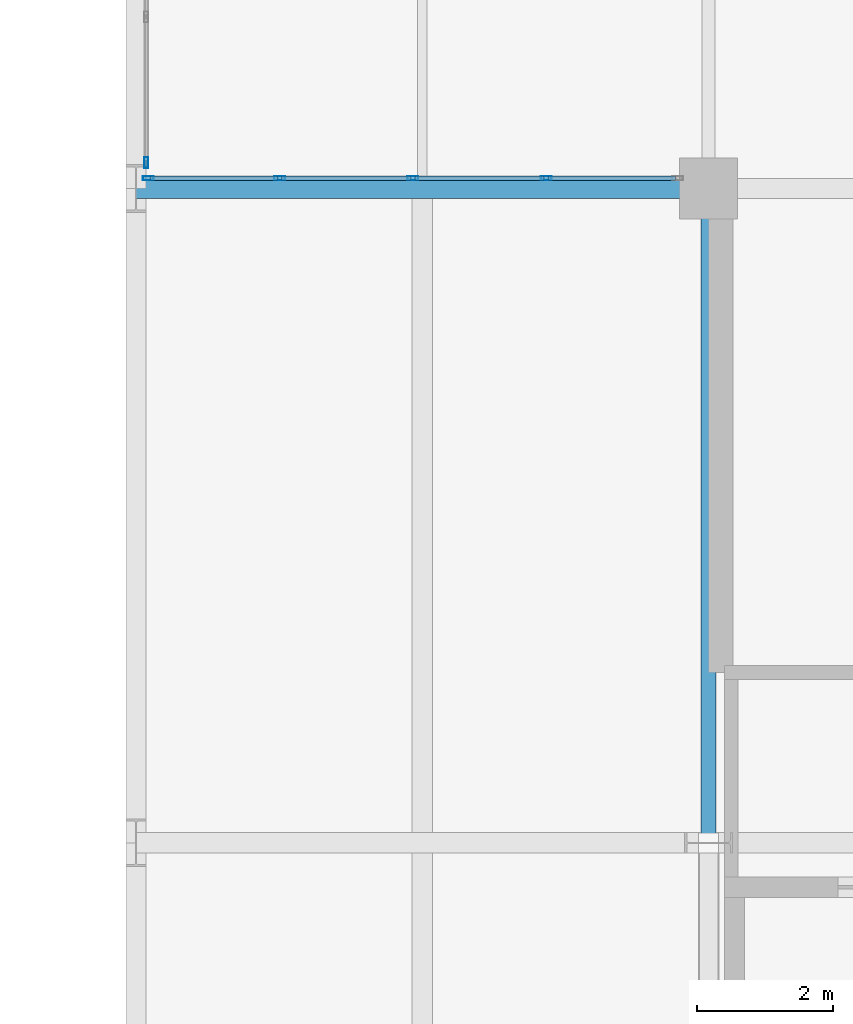
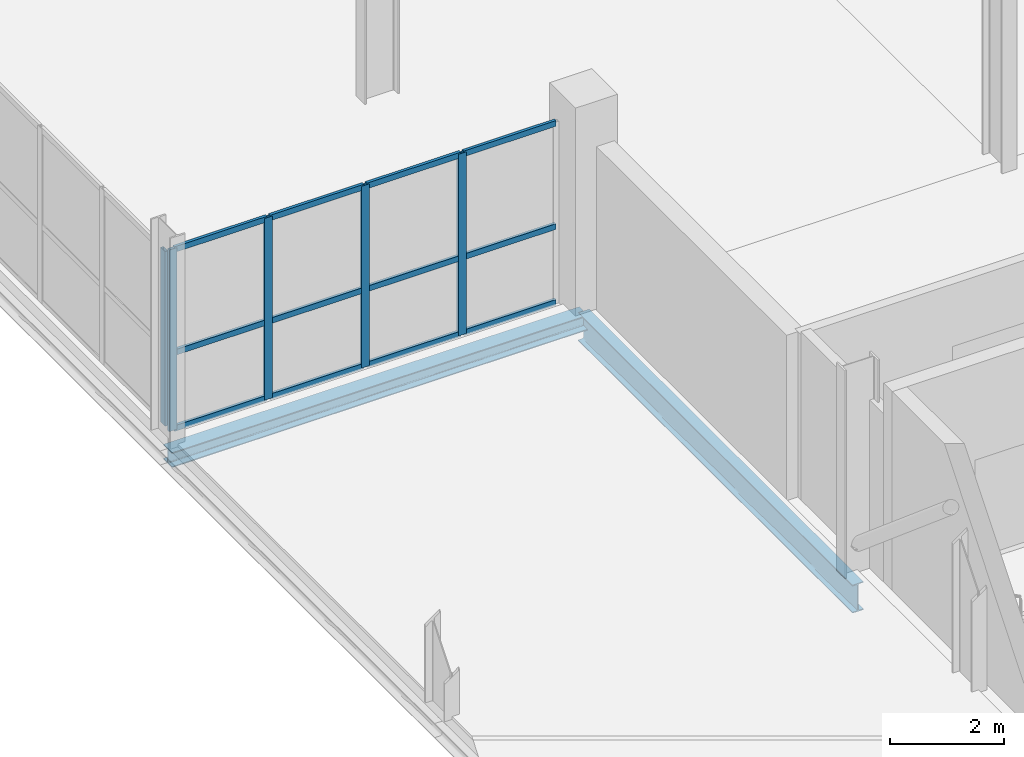
# One storey, part 14 of 113: 17 members, 2 beams, 2 elements without a shape of their own.
"""IFC4 building model written with IfcOpenShell, lengths in metres."""

from ifc_helpers import new_model, si_unit, direction, frame, origin, origin_2d, place, context, subcontext, project, spatial, hollow_rectangle, i_section, extrude, material, material_profile, profile_set, type_object, element, aggregate, save


model = new_model("IFC4")

# Units and contexts
model_context = context("Model", 3, precision=1e-05, world=origin(), true_north=direction((0.0, 1.0)))
body_context = subcontext(model_context, "Body", "Model", "MODEL_VIEW")
ifc_project = project(units=[si_unit("LENGTHUNIT", "METRE"), si_unit("AREAUNIT", "SQUARE_METRE"), si_unit("VOLUMEUNIT", "CUBIC_METRE"), si_unit("PLANEANGLEUNIT", "RADIAN"), si_unit("MASSUNIT", "GRAM", prefix="KILO")], contexts=[model_context])

# Site, building, storey
site_placement = place(None, origin())
site = spatial("IfcSite", under=ifc_project, at=site_placement, CompositionType="ELEMENT")
building_placement = place(site_placement, origin())
building = spatial("IfcBuilding", under=site, at=building_placement, Name="Veltarok Museum of Natural Sciences", CompositionType="ELEMENT")
storey_placement = place(building_placement, frame((0.0, 0.0, 8.39990234375)))
storey = spatial("IfcBuildingStorey", under=building, at=storey_placement, Name="L01", CompositionType="ELEMENT", Elevation=8.39990234375)

# Curtain wall, members
ifc_material_1 = material(Name="Low-iron triple insulated glass", Category="glass")
curtain_wall_type_1 = type_object("IfcCurtainWallType", Name="Curtain Wall System CW-PASS1-L01-0-782x388 (CW-PASS1 L01 782x388cm)", PredefinedType="NOTDEFINED", material=ifc_material_1)
curtain_wall_1_placement = place(storey_placement, origin())
curtain_wall_1 = element("IfcCurtainWall", 1, at=curtain_wall_1_placement, inside=storey, type_object=curtain_wall_type_1, Name="Curtain Wall CW-PASS1-L01-0-782x388 CW-0212", PredefinedType="NOTDEFINED")
ifc_material_2 = material(Name="Thermally broken anodised aluminium", Category="aluminium")
ifc_material_profile_1 = material_profile(ifc_material_2, hollow_rectangle(XDim=0.06005859375, YDim=0.1201171875, WallThickness=0.0048828125, at=origin_2d()), Name="CW TRANSOM 60x120x5")
ifc_profile_set_1 = profile_set([ifc_material_profile_1], Name="Thermally broken anodised aluminium")
member_type_1 = type_object("IfcMemberType", Name="Curtain Wall Horizontal Transom 60x120x5", PredefinedType="USERDEFINED", material=ifc_profile_set_1)
member_1_placement = place(storey_placement, frame((31.114990234375, 19.35009765625, 0.028076171875), z_axis=(-1.0, 0.0, 0.0), x_axis=(0.0, -1.0, 0.0)))
member_1 = element("IfcMember", 2, at=member_1_placement, type_object=member_type_1, Name="CW-PASS1-L01-0-782x388 transom 1.1", ObjectType="TRANSOM", PredefinedType="USERDEFINED", context=body_context, shape_type="SweptSolid", body=[
    extrude(hollow_rectangle(XDim=0.06005859375, YDim=0.1201171875, WallThickness=0.0048828125, at=origin_2d()), origin(), (0.0, 0.0, 1.0), 1.8662109375),
])
member_2_placement = place(storey_placement, frame((31.114990234375, 19.35009765625, 1.648193359375), z_axis=(-1.0, 0.0, 0.0), x_axis=(0.0, -1.0, 0.0)))
member_2 = element("IfcMember", 3, at=member_2_placement, type_object=member_type_1, Name="CW-PASS1-L01-0-782x388 transom 1.2", ObjectType="TRANSOM", PredefinedType="USERDEFINED", context=body_context, shape_type="SweptSolid", body=[
    extrude(hollow_rectangle(XDim=0.06005859375, YDim=0.1201171875, WallThickness=0.0048828125, at=origin_2d()), origin(), (0.0, 0.0, 1.0), 1.8662109375),
])
member_3_placement = place(storey_placement, frame((31.114990234375, 19.35009765625, 3.85009765625), z_axis=(-1.0, 0.0, 0.0), x_axis=(0.0, -1.0, 0.0)))
member_3 = element("IfcMember", 4, at=member_3_placement, type_object=member_type_1, Name="CW-PASS1-L01-0-782x388 transom 1.3", ObjectType="TRANSOM", PredefinedType="USERDEFINED", context=body_context, shape_type="SweptSolid", body=[
    extrude(hollow_rectangle(XDim=0.06005859375, YDim=0.1201171875, WallThickness=0.0048828125, at=origin_2d()), origin(), (0.0, 0.0, 1.0), 1.8662109375),
])
member_4_placement = place(storey_placement, frame((29.188720703125, 19.35009765625, 0.028076171875), z_axis=(-1.0, 0.0, 0.0), x_axis=(0.0, -1.0, 0.0)))
member_4 = element("IfcMember", 5, at=member_4_placement, type_object=member_type_1, Name="CW-PASS1-L01-0-782x388 transom 2.1", ObjectType="TRANSOM", PredefinedType="USERDEFINED", context=body_context, shape_type="SweptSolid", body=[
    extrude(hollow_rectangle(XDim=0.06005859375, YDim=0.1201171875, WallThickness=0.0048828125, at=origin_2d()), origin(), (0.0, 0.0, 1.0), 1.896240234375),
])
member_5_placement = place(storey_placement, frame((29.188720703125, 19.35009765625, 1.648193359375), z_axis=(-1.0, 0.0, 0.0), x_axis=(0.0, -1.0, 0.0)))
member_5 = element("IfcMember", 6, at=member_5_placement, type_object=member_type_1, Name="CW-PASS1-L01-0-782x388 transom 2.2", ObjectType="TRANSOM", PredefinedType="USERDEFINED", context=body_context, shape_type="SweptSolid", body=[
    extrude(hollow_rectangle(XDim=0.06005859375, YDim=0.1201171875, WallThickness=0.0048828125, at=origin_2d()), origin(), (0.0, 0.0, 1.0), 1.896240234375),
])
member_6_placement = place(storey_placement, frame((29.188720703125, 19.35009765625, 3.85009765625), z_axis=(-1.0, 0.0, 0.0), x_axis=(0.0, -1.0, 0.0)))
member_6 = element("IfcMember", 7, at=member_6_placement, type_object=member_type_1, Name="CW-PASS1-L01-0-782x388 transom 2.3", ObjectType="TRANSOM", PredefinedType="USERDEFINED", context=body_context, shape_type="SweptSolid", body=[
    extrude(hollow_rectangle(XDim=0.06005859375, YDim=0.1201171875, WallThickness=0.0048828125, at=origin_2d()), origin(), (0.0, 0.0, 1.0), 1.896240234375),
])
member_7_placement = place(storey_placement, frame((27.232421875, 19.35009765625, 0.028076171875), z_axis=(-1.0, 0.0, 0.0), x_axis=(0.0, -1.0, 0.0)))
member_7 = element("IfcMember", 8, at=member_7_placement, type_object=member_type_1, Name="CW-PASS1-L01-0-782x388 transom 3.1", ObjectType="TRANSOM", PredefinedType="USERDEFINED", context=body_context, shape_type="SweptSolid", body=[
    extrude(hollow_rectangle(XDim=0.06005859375, YDim=0.1201171875, WallThickness=0.0048828125, at=origin_2d()), origin(), (0.0, 0.0, 1.0), 1.896240234375),
])
member_8_placement = place(storey_placement, frame((27.232421875, 19.35009765625, 1.648193359375), z_axis=(-1.0, 0.0, 0.0), x_axis=(0.0, -1.0, 0.0)))
member_8 = element("IfcMember", 9, at=member_8_placement, type_object=member_type_1, Name="CW-PASS1-L01-0-782x388 transom 3.2", ObjectType="TRANSOM", PredefinedType="USERDEFINED", context=body_context, shape_type="SweptSolid", body=[
    extrude(hollow_rectangle(XDim=0.06005859375, YDim=0.1201171875, WallThickness=0.0048828125, at=origin_2d()), origin(), (0.0, 0.0, 1.0), 1.896240234375),
])
member_9_placement = place(storey_placement, frame((27.232421875, 19.35009765625, 3.85009765625), z_axis=(-1.0, 0.0, 0.0), x_axis=(0.0, -1.0, 0.0)))
member_9 = element("IfcMember", 10, at=member_9_placement, type_object=member_type_1, Name="CW-PASS1-L01-0-782x388 transom 3.3", ObjectType="TRANSOM", PredefinedType="USERDEFINED", context=body_context, shape_type="SweptSolid", body=[
    extrude(hollow_rectangle(XDim=0.06005859375, YDim=0.1201171875, WallThickness=0.0048828125, at=origin_2d()), origin(), (0.0, 0.0, 1.0), 1.896240234375),
])
member_10_placement = place(storey_placement, frame((25.2763671875, 19.35009765625, 0.028076171875), z_axis=(-1.0, 0.0, 0.0), x_axis=(0.0, -1.0, 0.0)))
member_10 = element("IfcMember", 11, at=member_10_placement, type_object=member_type_1, Name="CW-PASS1-L01-0-782x388 transom 4.1", ObjectType="TRANSOM", PredefinedType="USERDEFINED", context=body_context, shape_type="SweptSolid", body=[
    extrude(hollow_rectangle(XDim=0.06005859375, YDim=0.1201171875, WallThickness=0.0048828125, at=origin_2d()), origin(), (0.0, 0.0, 1.0), 1.866455078125),
])
member_11_placement = place(storey_placement, frame((25.2763671875, 19.35009765625, 1.648193359375), z_axis=(-1.0, 0.0, 0.0), x_axis=(0.0, -1.0, 0.0)))
member_11 = element("IfcMember", 12, at=member_11_placement, type_object=member_type_1, Name="CW-PASS1-L01-0-782x388 transom 4.2", ObjectType="TRANSOM", PredefinedType="USERDEFINED", context=body_context, shape_type="SweptSolid", body=[
    extrude(hollow_rectangle(XDim=0.06005859375, YDim=0.1201171875, WallThickness=0.0048828125, at=origin_2d()), origin(), (0.0, 0.0, 1.0), 1.866455078125),
])
member_12_placement = place(storey_placement, frame((25.2763671875, 19.35009765625, 3.85009765625), z_axis=(-1.0, 0.0, 0.0), x_axis=(0.0, -1.0, 0.0)))
member_12 = element("IfcMember", 13, at=member_12_placement, type_object=member_type_1, Name="CW-PASS1-L01-0-782x388 transom 4.3", ObjectType="TRANSOM", PredefinedType="USERDEFINED", context=body_context, shape_type="SweptSolid", body=[
    extrude(hollow_rectangle(XDim=0.06005859375, YDim=0.1201171875, WallThickness=0.0048828125, at=origin_2d()), origin(), (0.0, 0.0, 1.0), 1.866455078125),
])

# Curtain wall, member
curtain_wall_type_2 = type_object("IfcCurtainWallType", Name="Curtain Wall System CW-PASW1-L01-3-650x373 (CW-PASW1 L01 650x373cm)", PredefinedType="NOTDEFINED", material=ifc_material_1)
curtain_wall_2_placement = place(storey_placement, origin())
curtain_wall_2 = element("IfcCurtainWall", 14, at=curtain_wall_2_placement, inside=storey, type_object=curtain_wall_type_2, Name="Curtain Wall CW-PASW1-L01-3-650x373 CW-0211", PredefinedType="NOTDEFINED")
ifc_material_profile_2 = material_profile(ifc_material_2, hollow_rectangle(XDim=0.06005859375, YDim=0.159912109375, WallThickness=0.0048828125, at=origin_2d()), Name="CW MULLION 60x160x5")
ifc_profile_set_2 = profile_set([ifc_material_profile_2], Name="Thermally broken anodised aluminium")
member_type_2 = type_object("IfcMemberType", Name="Curtain Wall Vertical Mullion 60x160x5", PredefinedType="MULLION", material=ifc_profile_set_2)
member_13_placement = place(storey_placement, frame((23.35009765625, 19.580078125, -0.001953125), z_axis=(0.0, 0.0, 1.0), x_axis=(-1.0, 0.0, 0.0)))
member_13 = element("IfcMember", 15, at=member_13_placement, type_object=member_type_2, Name="CW-PASW1-L01-3-650x373 mullion 1", PredefinedType="MULLION", context=body_context, shape_type="SweptSolid", body=[
    extrude(hollow_rectangle(XDim=0.06005859375, YDim=0.159912109375, WallThickness=0.0048828125, at=origin_2d()), origin(), (0.0, 0.0, 1.0), 3.73193359375),
])
aggregate(curtain_wall_2, [member_13])

# Member
member_14_placement = place(storey_placement, frame((29.21875, 19.35009765625, -0.001953125), z_axis=(0.0, 0.0, 1.0), x_axis=(0.0, -1.0, 0.0)))
member_14 = element("IfcMember", 16, at=member_14_placement, type_object=member_type_2, Name="CW-PASS1-L01-0-782x388 mullion 2", PredefinedType="MULLION", context=body_context, shape_type="SweptSolid", body=[
    extrude(hollow_rectangle(XDim=0.06005859375, YDim=0.159912109375, WallThickness=0.0048828125, at=origin_2d()), origin(), (0.0, 0.0, 1.0), 3.882080078125),
])

member_15_placement = place(storey_placement, frame((27.262451171875, 19.35009765625, -0.001953125), z_axis=(0.0, 0.0, 1.0), x_axis=(0.0, -1.0, 0.0)))
member_15 = element("IfcMember", 17, at=member_15_placement, type_object=member_type_2, Name="CW-PASS1-L01-0-782x388 mullion 3", PredefinedType="MULLION", context=body_context, shape_type="SweptSolid", body=[
    extrude(hollow_rectangle(XDim=0.06005859375, YDim=0.159912109375, WallThickness=0.0048828125, at=origin_2d()), origin(), (0.0, 0.0, 1.0), 3.882080078125),
])

member_16_placement = place(storey_placement, frame((25.30615234375, 19.35009765625, -0.001953125), z_axis=(0.0, 0.0, 1.0), x_axis=(0.0, -1.0, 0.0)))
member_16 = element("IfcMember", 18, at=member_16_placement, type_object=member_type_2, Name="CW-PASS1-L01-0-782x388 mullion 4", PredefinedType="MULLION", context=body_context, shape_type="SweptSolid", body=[
    extrude(hollow_rectangle(XDim=0.06005859375, YDim=0.159912109375, WallThickness=0.0048828125, at=origin_2d()), origin(), (0.0, 0.0, 1.0), 3.882080078125),
])

member_17_placement = place(storey_placement, frame((23.3798828125, 19.35009765625, -0.001953125), z_axis=(0.0, 0.0, 1.0), x_axis=(0.0, -1.0, 0.0)))
member_17 = element("IfcMember", 19, at=member_17_placement, type_object=member_type_2, Name="CW-PASS1-L01-0-782x388 mullion 5", PredefinedType="MULLION", context=body_context, shape_type="SweptSolid", body=[
    extrude(hollow_rectangle(XDim=0.06005859375, YDim=0.159912109375, WallThickness=0.0048828125, at=origin_2d()), origin(), (0.0, 0.0, 1.0), 3.882080078125),
])

aggregate(curtain_wall_1, [member_14, member_15, member_16, member_17, member_1, member_2, member_3, member_4, member_5, member_6, member_7, member_8, member_9, member_10, member_11, member_12])

# Beams
ifc_material_3 = material(Name="Steel S355J2", Category="steel")
ifc_material_profile_3 = material_profile(ifc_material_3, i_section(OverallWidth=0.300048828125, OverallDepth=0.320068359375, WebThickness=0.011474609375, FlangeThickness=0.0205078125, FilletRadius=0.027099609375, at=origin_2d()), Name="HEB 320")
ifc_profile_set_3 = profile_set([ifc_material_profile_3], Name="Steel S355J2")
beam_type_1 = type_object("IfcBeamType", Name="Perimeter Sawtooth Spandrel HEB 320", PredefinedType="SPANDREL", material=ifc_profile_set_3)
beam_1_placement = place(storey_placement, frame((23.199951171875, 19.199951171875, -0.409912109375), z_axis=(1.0, 0.0, 0.0), x_axis=(0.0, 1.0, 0.0)))
element("IfcBeam", 20, at=beam_1_placement, inside=storey, type_object=beam_type_1, Name="Beam BM-SP06 L01 3-4/C", PredefinedType="SPANDREL", context=body_context, shape_type="SweptSolid", body=[
    extrude(i_section(OverallWidth=0.300048828125, OverallDepth=0.320068359375, WebThickness=0.011474609375, FlangeThickness=0.0205078125, FilletRadius=0.027099609375, at=origin_2d()), origin(), (0.0, 0.0, 1.0), 8.400146484375),
])
ifc_material_profile_4 = material_profile(ifc_material_3, i_section(OverallWidth=0.219970703125, OverallDepth=0.60009765625, WebThickness=0.011962890625, FlangeThickness=0.01904296875, FilletRadius=0.02392578125, at=origin_2d()), Name="IPE 600")
ifc_profile_set_4 = profile_set([ifc_material_profile_4], Name="Steel S355J2")
beam_type_2 = type_object("IfcBeamType", Name="Primary Museum Girder IPE 600", PredefinedType="BEAM", material=ifc_profile_set_4)
beam_2_placement = place(storey_placement, frame((31.60009765625, 9.60009765625, -0.5498046875), z_axis=(0.0, 1.0, 0.0), x_axis=(-1.0, 0.0, 0.0)))
element("IfcBeam", 21, at=beam_2_placement, inside=storey, type_object=beam_type_2, Name="Beam BM-G02 L01 4/B-C", PredefinedType="BEAM", context=body_context, shape_type="SweptSolid", body=[
    extrude(i_section(OverallWidth=0.219970703125, OverallDepth=0.60009765625, WebThickness=0.011962890625, FlangeThickness=0.01904296875, FilletRadius=0.02392578125, at=origin_2d()), origin(), (0.0, 0.0, 1.0), 9.599853515625),
])

save(model, "model.ifc")
